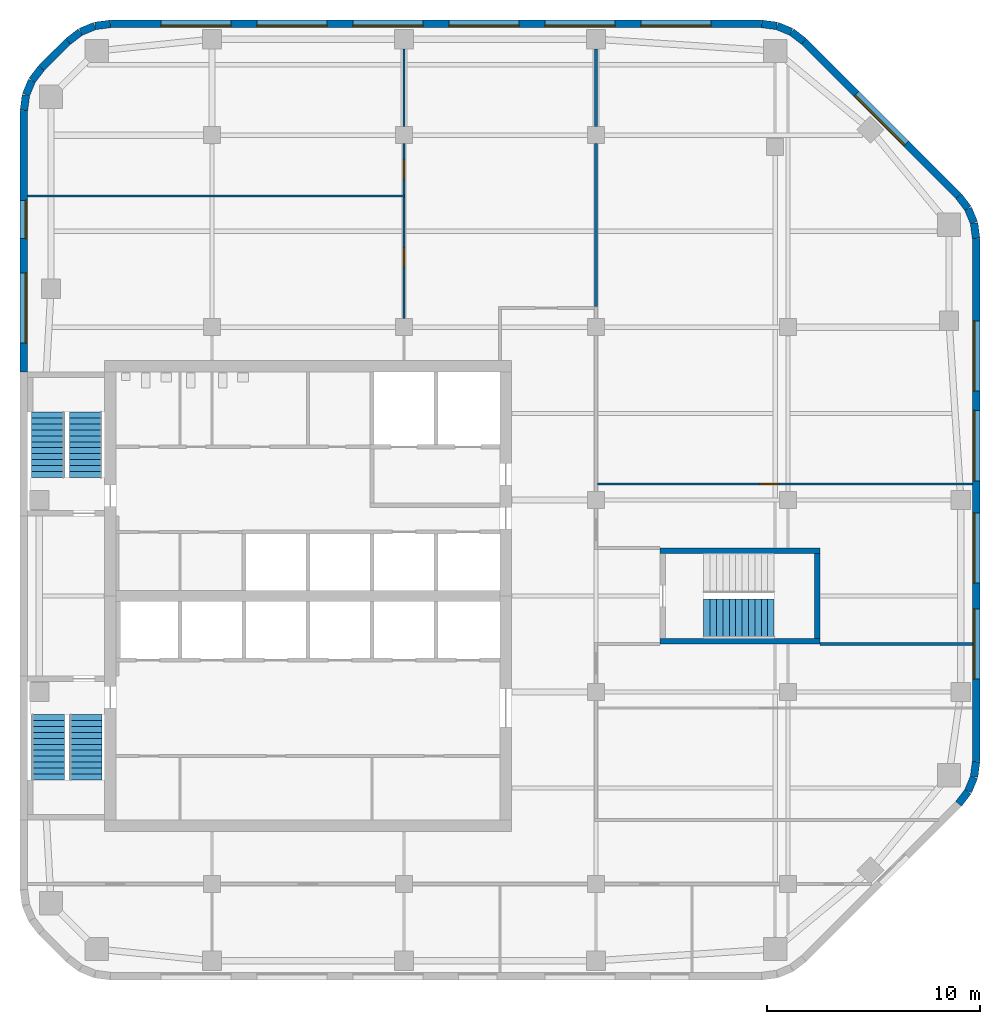
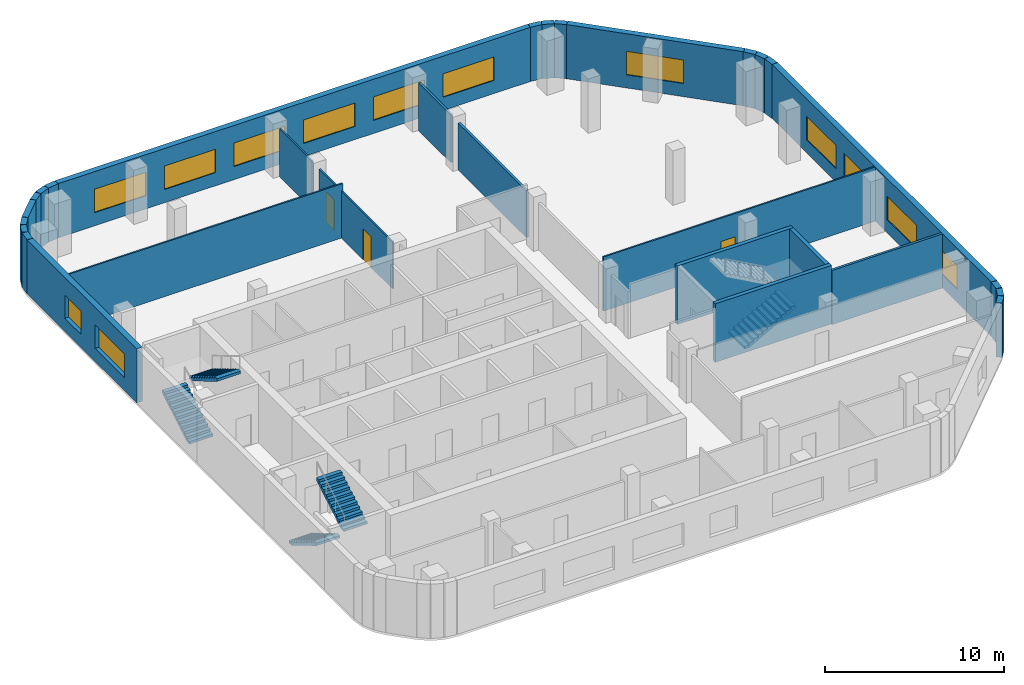
# One storey, part 5 of 8: 31 walls, 13 windows, 5 stair flights, 3 doors, 16 openings, 3 elements without a shape of their own.
"""IFC4 building model written with IfcOpenShell, lengths in metres."""

from ifc_helpers import new_model, si_unit, direction, frame, frame_2d, origin, place, context, subcontext, project, spatial, polyline, rectangle, outline, extrude, material, layer, layer_set, type_object, element, fill, aggregate, save


model = new_model("IFC4")

# Units and contexts
model_context = context("Model", 3, precision=1e-05, world=origin(), true_north=direction((0.0, 1.0)))
body_context = subcontext(model_context, "Body", "Model", "MODEL_VIEW")
ifc_project = project(units=[si_unit("LENGTHUNIT", "METRE"), si_unit("AREAUNIT", "SQUARE_METRE"), si_unit("VOLUMEUNIT", "CUBIC_METRE"), si_unit("PLANEANGLEUNIT", "RADIAN"), si_unit("MASSUNIT", "GRAM", prefix="KILO")], contexts=[model_context])

# Site, building, storey
site_placement = place(None, origin())
site = spatial("IfcSite", under=ifc_project, at=site_placement, CompositionType="ELEMENT")
building_placement = place(site_placement, origin())
building = spatial("IfcBuilding", under=site, at=building_placement, Name="Cinnabar Reach Civic Tower", CompositionType="ELEMENT")
storey_placement = place(building_placement, frame((0.0, 0.0, 238.0)))
storey = spatial("IfcBuildingStorey", under=building, at=storey_placement, Name="L57", CompositionType="ELEMENT", Elevation=238.0)

# Walls
ifc_material_1 = material(Name="Facing brick with insulated backing", Category="masonry")
ifc_layer_1 = layer(ifc_material_1, 0.36)
ifc_layer_set_1 = layer_set([ifc_layer_1], Name="Brick corner wall")
wall_type_1 = type_object("IfcWallType", Name="Brick corner wall", PredefinedType="STANDARD", material=ifc_layer_set_1)
wall_1_placement = place(storey_placement, frame((43.9998, 21.7587, 0.0), z_axis=(0.0, 0.0, 1.0), x_axis=(0.608802368033, 0.793321924995, 0.0)))
element("IfcWall", 1, at=wall_1_placement, inside=storey, type_object=wall_type_1, Name="Brick corner wall", PredefinedType="STANDARD", context=body_context, shape_type="SweptSolid", body=[
    extrude(rectangle(XDim=0.7132, YDim=0.36, at=frame_2d((0.3566, 0.0))), origin(), (0.0, 0.0, 1.0), 3.7),
])
for number, where, z_axis, x_axis, name in (
    (2, (44.4452, 22.3439, 0.0), (0.0, 0.0, 1.0), (0.382702709855, 0.923871547278, 0.0), "Brick corner wall"),
    (3, (44.7239, 23.0244, 0.0), (0.0, 0.0, 1.0), (0.13055608231, 0.99144092581, 0.0), "Brick corner wall"),
    (4, (44.817, 48.2686, 0.0), (0.0, 0.0, 1.0), (-0.13055608231, 0.99144092581, 0.0), "Brick corner wall"),
    (5, (44.7181, 48.9973, 0.0), (0.0, 0.0, 1.0), (-0.382702709855, 0.923871547278, 0.0), "Brick corner wall"),
):
    element("IfcWall", number, at=place(storey_placement, frame(where, z_axis=z_axis, x_axis=x_axis)), inside=storey, type_object=wall_type_1, Name=name, PredefinedType="STANDARD", context=body_context, shape_type="SweptSolid", body=[
        extrude(rectangle(XDim=0.7131, YDim=0.36, at=frame_2d((0.3565, 0.0))), origin(), (0.0, 0.0, 1.0), 3.7),
    ])
for number, where, z_axis, x_axis, name in (
    (6, (44.434, 49.6755, 0.0), (0.0, 0.0, 1.0), (-0.608802368033, 0.793321924995, 0.0), "Brick corner wall"),
    (7, (36.7413, 57.4998, 0.0), (0.0, 0.0, 1.0), (-0.793321924995, 0.608802368033, 0.0), "Brick corner wall"),
):
    element("IfcWall", number, at=place(storey_placement, frame(where, z_axis=z_axis, x_axis=x_axis)), inside=storey, type_object=wall_type_1, Name=name, PredefinedType="STANDARD", context=body_context, shape_type="SweptSolid", body=[
        extrude(rectangle(XDim=0.7132, YDim=0.36, at=frame_2d((0.3566, 0.0))), origin(), (0.0, 0.0, 1.0), 3.7),
    ])
for number, where, z_axis, x_axis, name in (
    (8, (36.1561, 57.9452, 0.0), (0.0, 0.0, 1.0), (-0.923871547278, 0.382702709855, 0.0), "Brick corner wall"),
    (9, (35.4756, 58.2239, 0.0), (0.0, 0.0, 1.0), (-0.99144092581, 0.13055608231, 0.0), "Brick corner wall"),
    (10, (4.2314, 58.317, 0.0), (0.0, 0.0, 1.0), (-0.99144092581, -0.13055608231, 0.0), "Brick corner wall"),
    (11, (3.5027, 58.2181, 0.0), (0.0, 0.0, 1.0), (-0.923871547278, -0.382702709855, 0.0), "Brick corner wall"),
):
    element("IfcWall", number, at=place(storey_placement, frame(where, z_axis=z_axis, x_axis=x_axis)), inside=storey, type_object=wall_type_1, Name=name, PredefinedType="STANDARD", context=body_context, shape_type="SweptSolid", body=[
        extrude(rectangle(XDim=0.7131, YDim=0.36, at=frame_2d((0.3565, 0.0))), origin(), (0.0, 0.0, 1.0), 3.7),
    ])
for number, where, z_axis, x_axis, name in (
    (12, (2.8245, 57.934, 0.0), (0.0, 0.0, 1.0), (-0.793321924995, -0.608802368033, 0.0), "Brick corner wall"),
    (13, (1.0002, 56.2413, 0.0), (0.0, 0.0, 1.0), (-0.608802368033, -0.793321924995, 0.0), "Brick corner wall"),
):
    element("IfcWall", number, at=place(storey_placement, frame(where, z_axis=z_axis, x_axis=x_axis)), inside=storey, type_object=wall_type_1, Name=name, PredefinedType="STANDARD", context=body_context, shape_type="SweptSolid", body=[
        extrude(rectangle(XDim=0.7132, YDim=0.36, at=frame_2d((0.3566, 0.0))), origin(), (0.0, 0.0, 1.0), 3.7),
    ])
for number, where, z_axis, x_axis, name in (
    (14, (0.5548, 55.6561, 0.0), (0.0, 0.0, 1.0), (-0.382702709855, -0.923871547278, 0.0), "Brick corner wall"),
    (15, (0.2761, 54.9756, 0.0), (0.0, 0.0, 1.0), (-0.13055608231, -0.99144092581, 0.0), "Brick corner wall"),
):
    element("IfcWall", number, at=place(storey_placement, frame(where, z_axis=z_axis, x_axis=x_axis)), inside=storey, type_object=wall_type_1, Name=name, PredefinedType="STANDARD", context=body_context, shape_type="SweptSolid", body=[
        extrude(rectangle(XDim=0.7131, YDim=0.36, at=frame_2d((0.3565, 0.0))), origin(), (0.0, 0.0, 1.0), 3.7),
    ])

# Wall, openings, windows
ifc_layer_2 = layer(ifc_material_1, 0.36)
ifc_layer_set_2 = layer_set([ifc_layer_2], Name="Brick pier and spandrel wall")
wall_type_2 = type_object("IfcWallType", Name="Brick pier and spandrel wall", PredefinedType="STANDARD", material=ifc_layer_set_2)
wall_2_placement = place(storey_placement, frame((44.82, 23.7426, 0.0), z_axis=(0.0, 0.0, 1.0), x_axis=(0.0, 1.0, 0.0)))
wall_2 = element("IfcWall", 16, at=wall_2_placement, inside=storey, type_object=wall_type_2, Name="Brick facade wall", PredefinedType="STANDARD", context=body_context, shape_type="SweptSolid", body=[
    extrude(rectangle(XDim=24.5148, YDim=0.36, at=frame_2d((12.2574, 0.0))), origin(), (0.0, 0.0, 1.0), 3.7),
])
opening_1_placement = place(wall_2_placement, frame((3.8574, 0.0, 0.9)))
opening_1 = element("IfcOpeningElement", 17, at=opening_1_placement, cuts=wall_2, Name="Opening W2167", PredefinedType="OPENING", context=body_context, shape_type="SweptSolid", body=[
    extrude(rectangle(XDim=3.3, YDim=1.6, at=frame_2d((1.65, 0.8))), frame((0.0, 0.19, 0.0), z_axis=(0.0, -1.0, 0.0), x_axis=(1.0, 0.0, 0.0)), (0.0, 0.0, 1.0), 0.38),
])
opening_2_placement = place(wall_2_placement, frame((8.3574, 0.0, 0.9)))
opening_2 = element("IfcOpeningElement", 18, at=opening_2_placement, cuts=wall_2, Name="Opening W2168", PredefinedType="OPENING", context=body_context, shape_type="SweptSolid", body=[
    extrude(rectangle(XDim=3.3, YDim=1.6, at=frame_2d((1.65, 0.8))), frame((0.0, 0.19, 0.0), z_axis=(0.0, -1.0, 0.0), x_axis=(1.0, 0.0, 0.0)), (0.0, 0.0, 1.0), 0.38),
])
opening_3_placement = place(wall_2_placement, frame((13.1574, 0.0, 0.9)))
opening_3 = element("IfcOpeningElement", 19, at=opening_3_placement, cuts=wall_2, Name="Opening W2169", PredefinedType="OPENING", context=body_context, shape_type="SweptSolid", body=[
    extrude(rectangle(XDim=3.3, YDim=1.6, at=frame_2d((1.65, 0.8))), frame((0.0, 0.19, 0.0), z_axis=(0.0, -1.0, 0.0), x_axis=(1.0, 0.0, 0.0)), (0.0, 0.0, 1.0), 0.38),
])
opening_4_placement = place(wall_2_placement, frame((17.3574, 0.0, 0.9)))
opening_4 = element("IfcOpeningElement", 20, at=opening_4_placement, cuts=wall_2, Name="Opening W2170", PredefinedType="OPENING", context=body_context, shape_type="SweptSolid", body=[
    extrude(rectangle(XDim=3.3, YDim=1.6, at=frame_2d((1.65, 0.8))), frame((0.0, 0.19, 0.0), z_axis=(0.0, -1.0, 0.0), x_axis=(1.0, 0.0, 0.0)), (0.0, 0.0, 1.0), 0.38),
])
ifc_material_2 = material(Name="Clear double glazing in aluminium frame", Category="aluminium")
window_type_1 = type_object("IfcWindowType", Name="Deep-set window A", PartitioningType="SINGLE_PANEL", PredefinedType="WINDOW", material=ifc_material_2)
window_1_placement = place(opening_1_placement, origin())
window_1 = element("IfcWindow", 21, at=window_1_placement, inside=storey, type_object=window_type_1, Name="Window east face", OverallHeight=1.6, OverallWidth=3.3, PartitioningType="SINGLE_PANEL", PredefinedType="WINDOW", context=body_context, shape_type="SweptSolid", body=[
    extrude(rectangle(XDim=3.3, YDim=1.6, at=frame_2d((1.65, 0.8))), frame((0.0, 0.13, 0.0), z_axis=(0.0, -1.0, 0.0), x_axis=(1.0, 0.0, 0.0)), (0.0, 0.0, 1.0), 0.06),
])
fill(opening_1, window_1)
window_2_placement = place(opening_2_placement, origin())
window_2 = element("IfcWindow", 22, at=window_2_placement, inside=storey, type_object=window_type_1, Name="Window east face", OverallHeight=1.6, OverallWidth=3.3, PartitioningType="SINGLE_PANEL", PredefinedType="WINDOW", context=body_context, shape_type="SweptSolid", body=[
    extrude(rectangle(XDim=3.3, YDim=1.6, at=frame_2d((1.65, 0.8))), frame((0.0, 0.13, 0.0), z_axis=(0.0, -1.0, 0.0), x_axis=(1.0, 0.0, 0.0)), (0.0, 0.0, 1.0), 0.06),
])
fill(opening_2, window_2)
window_3_placement = place(opening_3_placement, origin())
window_3 = element("IfcWindow", 23, at=window_3_placement, inside=storey, type_object=window_type_1, Name="Window east face", OverallHeight=1.6, OverallWidth=3.3, PartitioningType="SINGLE_PANEL", PredefinedType="WINDOW", context=body_context, shape_type="SweptSolid", body=[
    extrude(rectangle(XDim=3.3, YDim=1.6, at=frame_2d((1.65, 0.8))), frame((0.0, 0.13, 0.0), z_axis=(0.0, -1.0, 0.0), x_axis=(1.0, 0.0, 0.0)), (0.0, 0.0, 1.0), 0.06),
])
fill(opening_3, window_3)
window_4_placement = place(opening_4_placement, origin())
window_4 = element("IfcWindow", 24, at=window_4_placement, inside=storey, type_object=window_type_1, Name="Window east face", OverallHeight=1.6, OverallWidth=3.3, PartitioningType="SINGLE_PANEL", PredefinedType="WINDOW", context=body_context, shape_type="SweptSolid", body=[
    extrude(rectangle(XDim=3.3, YDim=1.6, at=frame_2d((1.65, 0.8))), frame((0.0, 0.13, 0.0), z_axis=(0.0, -1.0, 0.0), x_axis=(1.0, 0.0, 0.0)), (0.0, 0.0, 1.0), 0.06),
])
fill(opening_4, window_4)

# Wall, opening, window
wall_3_placement = place(storey_placement, frame((43.994, 50.2514, 0.0), z_axis=(0.0, 0.0, 1.0), x_axis=(-0.707106781187, 0.707106781187, 0.0)))
wall_3 = element("IfcWall", 25, at=wall_3_placement, inside=storey, type_object=wall_type_2, Name="Brick facade wall", PredefinedType="STANDARD", context=body_context, shape_type="SweptSolid", body=[
    extrude(rectangle(XDim=10.2426, YDim=0.36, at=frame_2d((5.1213, 0.0))), origin(), (0.0, 0.0, 1.0), 3.7),
])
opening_5_placement = place(wall_3_placement, frame((3.4713, 0.0, 0.9)))
opening_5 = element("IfcOpeningElement", 26, at=opening_5_placement, cuts=wall_3, Name="Opening W2171", PredefinedType="OPENING", context=body_context, shape_type="SweptSolid", body=[
    extrude(rectangle(XDim=3.3, YDim=1.6, at=frame_2d((1.65, 0.8))), frame((0.0, 0.19, 0.0), z_axis=(0.0, -1.0, 0.0), x_axis=(1.0, 0.0, 0.0)), (0.0, 0.0, 1.0), 0.38),
])
window_5_placement = place(opening_5_placement, origin())
window_5 = element("IfcWindow", 27, at=window_5_placement, inside=storey, type_object=window_type_1, Name="Window northeast face", OverallHeight=1.6, OverallWidth=3.3, PartitioningType="SINGLE_PANEL", PredefinedType="WINDOW", context=body_context, shape_type="SweptSolid", body=[
    extrude(rectangle(XDim=3.3, YDim=1.6, at=frame_2d((1.65, 0.8))), frame((0.0, 0.13, 0.0), z_axis=(0.0, -1.0, 0.0), x_axis=(1.0, 0.0, 0.0)), (0.0, 0.0, 1.0), 0.06),
])
fill(opening_5, window_5)

# Wall, openings, windows
wall_4_placement = place(storey_placement, frame((34.7574, 58.32, 0.0), z_axis=(0.0, 0.0, 1.0), x_axis=(-1.0, 0.0, 0.0)))
wall_4 = element("IfcWall", 28, at=wall_4_placement, inside=storey, type_object=wall_type_2, Name="Brick facade wall", PredefinedType="STANDARD", context=body_context, shape_type="SweptSolid", body=[
    extrude(rectangle(XDim=30.5148, YDim=0.36, at=frame_2d((15.2574, 0.0))), origin(), (0.0, 0.0, 1.0), 3.7),
])
opening_6_placement = place(wall_4_placement, frame((2.3574, 0.0, 0.9)))
opening_6 = element("IfcOpeningElement", 29, at=opening_6_placement, cuts=wall_4, Name="Opening W2172", PredefinedType="OPENING", context=body_context, shape_type="SweptSolid", body=[
    extrude(rectangle(XDim=3.3, YDim=1.6, at=frame_2d((1.65, 0.8))), frame((0.0, 0.19, 0.0), z_axis=(0.0, -1.0, 0.0), x_axis=(1.0, 0.0, 0.0)), (0.0, 0.0, 1.0), 0.38),
])
opening_7_placement = place(wall_4_placement, frame((6.8574, 0.0, 0.9)))
opening_7 = element("IfcOpeningElement", 30, at=opening_7_placement, cuts=wall_4, Name="Opening W2173", PredefinedType="OPENING", context=body_context, shape_type="SweptSolid", body=[
    extrude(rectangle(XDim=3.3, YDim=1.6, at=frame_2d((1.65, 0.8))), frame((0.0, 0.19, 0.0), z_axis=(0.0, -1.0, 0.0), x_axis=(1.0, 0.0, 0.0)), (0.0, 0.0, 1.0), 0.38),
])
opening_8_placement = place(wall_4_placement, frame((11.3574, 0.0, 0.9)))
opening_8 = element("IfcOpeningElement", 31, at=opening_8_placement, cuts=wall_4, Name="Opening W2174", PredefinedType="OPENING", context=body_context, shape_type="SweptSolid", body=[
    extrude(rectangle(XDim=3.3, YDim=1.6, at=frame_2d((1.65, 0.8))), frame((0.0, 0.19, 0.0), z_axis=(0.0, -1.0, 0.0), x_axis=(1.0, 0.0, 0.0)), (0.0, 0.0, 1.0), 0.38),
])
opening_9_placement = place(wall_4_placement, frame((15.8574, 0.0, 0.9)))
opening_9 = element("IfcOpeningElement", 32, at=opening_9_placement, cuts=wall_4, Name="Opening W2175", PredefinedType="OPENING", context=body_context, shape_type="SweptSolid", body=[
    extrude(rectangle(XDim=3.3, YDim=1.6, at=frame_2d((1.65, 0.8))), frame((0.0, 0.19, 0.0), z_axis=(0.0, -1.0, 0.0), x_axis=(1.0, 0.0, 0.0)), (0.0, 0.0, 1.0), 0.38),
])
opening_10_placement = place(wall_4_placement, frame((20.3574, 0.0, 0.9)))
opening_10 = element("IfcOpeningElement", 33, at=opening_10_placement, cuts=wall_4, Name="Opening W2176", PredefinedType="OPENING", context=body_context, shape_type="SweptSolid", body=[
    extrude(rectangle(XDim=3.3, YDim=1.6, at=frame_2d((1.65, 0.8))), frame((0.0, 0.19, 0.0), z_axis=(0.0, -1.0, 0.0), x_axis=(1.0, 0.0, 0.0)), (0.0, 0.0, 1.0), 0.38),
])
opening_11_placement = place(wall_4_placement, frame((24.8574, 0.0, 0.9)))
opening_11 = element("IfcOpeningElement", 34, at=opening_11_placement, cuts=wall_4, Name="Opening W2177", PredefinedType="OPENING", context=body_context, shape_type="SweptSolid", body=[
    extrude(rectangle(XDim=3.3, YDim=1.6, at=frame_2d((1.65, 0.8))), frame((0.0, 0.19, 0.0), z_axis=(0.0, -1.0, 0.0), x_axis=(1.0, 0.0, 0.0)), (0.0, 0.0, 1.0), 0.38),
])
window_6_placement = place(opening_6_placement, origin())
window_6 = element("IfcWindow", 35, at=window_6_placement, inside=storey, type_object=window_type_1, Name="Window north face", OverallHeight=1.6, OverallWidth=3.3, PartitioningType="SINGLE_PANEL", PredefinedType="WINDOW", context=body_context, shape_type="SweptSolid", body=[
    extrude(rectangle(XDim=3.3, YDim=1.6, at=frame_2d((1.65, 0.8))), frame((0.0, 0.13, 0.0), z_axis=(0.0, -1.0, 0.0), x_axis=(1.0, 0.0, 0.0)), (0.0, 0.0, 1.0), 0.06),
])
fill(opening_6, window_6)
window_7_placement = place(opening_7_placement, origin())
window_7 = element("IfcWindow", 36, at=window_7_placement, inside=storey, type_object=window_type_1, Name="Window north face", OverallHeight=1.6, OverallWidth=3.3, PartitioningType="SINGLE_PANEL", PredefinedType="WINDOW", context=body_context, shape_type="SweptSolid", body=[
    extrude(rectangle(XDim=3.3, YDim=1.6, at=frame_2d((1.65, 0.8))), frame((0.0, 0.13, 0.0), z_axis=(0.0, -1.0, 0.0), x_axis=(1.0, 0.0, 0.0)), (0.0, 0.0, 1.0), 0.06),
])
fill(opening_7, window_7)
window_8_placement = place(opening_8_placement, origin())
window_8 = element("IfcWindow", 37, at=window_8_placement, inside=storey, type_object=window_type_1, Name="Window north face", OverallHeight=1.6, OverallWidth=3.3, PartitioningType="SINGLE_PANEL", PredefinedType="WINDOW", context=body_context, shape_type="SweptSolid", body=[
    extrude(rectangle(XDim=3.3, YDim=1.6, at=frame_2d((1.65, 0.8))), frame((0.0, 0.13, 0.0), z_axis=(0.0, -1.0, 0.0), x_axis=(1.0, 0.0, 0.0)), (0.0, 0.0, 1.0), 0.06),
])
fill(opening_8, window_8)
window_9_placement = place(opening_9_placement, origin())
window_9 = element("IfcWindow", 38, at=window_9_placement, inside=storey, type_object=window_type_1, Name="Window north face", OverallHeight=1.6, OverallWidth=3.3, PartitioningType="SINGLE_PANEL", PredefinedType="WINDOW", context=body_context, shape_type="SweptSolid", body=[
    extrude(rectangle(XDim=3.3, YDim=1.6, at=frame_2d((1.65, 0.8))), frame((0.0, 0.13, 0.0), z_axis=(0.0, -1.0, 0.0), x_axis=(1.0, 0.0, 0.0)), (0.0, 0.0, 1.0), 0.06),
])
fill(opening_9, window_9)
window_10_placement = place(opening_10_placement, origin())
window_10 = element("IfcWindow", 39, at=window_10_placement, inside=storey, type_object=window_type_1, Name="Window north face", OverallHeight=1.6, OverallWidth=3.3, PartitioningType="SINGLE_PANEL", PredefinedType="WINDOW", context=body_context, shape_type="SweptSolid", body=[
    extrude(rectangle(XDim=3.3, YDim=1.6, at=frame_2d((1.65, 0.8))), frame((0.0, 0.13, 0.0), z_axis=(0.0, -1.0, 0.0), x_axis=(1.0, 0.0, 0.0)), (0.0, 0.0, 1.0), 0.06),
])
fill(opening_10, window_10)
window_11_placement = place(opening_11_placement, origin())
window_11 = element("IfcWindow", 40, at=window_11_placement, inside=storey, type_object=window_type_1, Name="Window north face", OverallHeight=1.6, OverallWidth=3.3, PartitioningType="SINGLE_PANEL", PredefinedType="WINDOW", context=body_context, shape_type="SweptSolid", body=[
    extrude(rectangle(XDim=3.3, YDim=1.6, at=frame_2d((1.65, 0.8))), frame((0.0, 0.13, 0.0), z_axis=(0.0, -1.0, 0.0), x_axis=(1.0, 0.0, 0.0)), (0.0, 0.0, 1.0), 0.06),
])
fill(opening_11, window_11)

# Wall
wall_5_placement = place(storey_placement, frame((2.2486, 57.494, 0.0), z_axis=(0.0, 0.0, 1.0), x_axis=(-0.707106781187, -0.707106781187, 0.0)))
element("IfcWall", 41, at=wall_5_placement, inside=storey, type_object=wall_type_2, Name="Brick facade wall", PredefinedType="STANDARD", context=body_context, shape_type="SweptSolid", body=[
    extrude(rectangle(XDim=1.7573, YDim=0.36, at=frame_2d((0.8787, 0.0))), origin(), (0.0, 0.0, 1.0), 3.7),
])

# Wall, openings, windows
wall_6_placement = place(storey_placement, frame((0.18, 54.2574, 0.0), z_axis=(0.0, 0.0, 1.0), x_axis=(0.0, -1.0, 0.0)))
wall_6 = element("IfcWall", 42, at=wall_6_placement, inside=storey, type_object=wall_type_2, Name="Brick facade wall", PredefinedType="STANDARD", context=body_context, shape_type="SweptSolid", body=[
    extrude(rectangle(XDim=12.2574, YDim=0.36, at=frame_2d((6.1287, 0.0))), origin(), (0.0, 0.0, 1.0), 3.7),
])
opening_12_placement = place(wall_6_placement, frame((4.2074, 0.0, 0.9)))
opening_12 = element("IfcOpeningElement", 43, at=opening_12_placement, cuts=wall_6, Name="Opening W2178", PredefinedType="OPENING", context=body_context, shape_type="SweptSolid", body=[
    extrude(rectangle(XDim=1.8, YDim=1.6, at=frame_2d((0.9, 0.8))), frame((0.0, 0.19, 0.0), z_axis=(0.0, -1.0, 0.0), x_axis=(1.0, 0.0, 0.0)), (0.0, 0.0, 1.0), 0.38),
])
opening_13_placement = place(wall_6_placement, frame((7.6074, 0.0, 0.9)))
opening_13 = element("IfcOpeningElement", 44, at=opening_13_placement, cuts=wall_6, Name="Opening W2179", PredefinedType="OPENING", context=body_context, shape_type="SweptSolid", body=[
    extrude(rectangle(XDim=3.3, YDim=1.6, at=frame_2d((1.65, 0.8))), frame((0.0, 0.19, 0.0), z_axis=(0.0, -1.0, 0.0), x_axis=(1.0, 0.0, 0.0)), (0.0, 0.0, 1.0), 0.38),
])
window_12_placement = place(opening_13_placement, origin())
window_12 = element("IfcWindow", 45, at=window_12_placement, inside=storey, type_object=window_type_1, Name="Window west face", OverallHeight=1.6, OverallWidth=3.3, PartitioningType="SINGLE_PANEL", PredefinedType="WINDOW", context=body_context, shape_type="SweptSolid", body=[
    extrude(rectangle(XDim=3.3, YDim=1.6, at=frame_2d((1.65, 0.8))), frame((0.0, 0.13, 0.0), z_axis=(0.0, -1.0, 0.0), x_axis=(1.0, 0.0, 0.0)), (0.0, 0.0, 1.0), 0.06),
])
fill(opening_13, window_12)
window_type_2 = type_object("IfcWindowType", Name="Deep-set window D", PartitioningType="SINGLE_PANEL", PredefinedType="WINDOW", material=ifc_material_2)
window_13_placement = place(opening_12_placement, origin())
window_13 = element("IfcWindow", 46, at=window_13_placement, inside=storey, type_object=window_type_2, Name="Window west face", OverallHeight=1.6, OverallWidth=1.8, PartitioningType="SINGLE_PANEL", PredefinedType="WINDOW", context=body_context, shape_type="SweptSolid", body=[
    extrude(rectangle(XDim=1.8, YDim=1.6, at=frame_2d((0.9, 0.8))), frame((0.0, 0.13, 0.0), z_axis=(0.0, -1.0, 0.0), x_axis=(1.0, 0.0, 0.0)), (0.0, 0.0, 1.0), 0.06),
])
fill(opening_12, window_13)

# Wall, opening, door
ifc_material_3 = material(Name="Gypsum board on steel studs", Category="steel")
ifc_layer_3 = layer(ifc_material_3, 0.1)
ifc_layer_set_3 = layer_set([ifc_layer_3], Name="Partition wall 100 T1")
wall_type_3 = type_object("IfcWallType", Name="Partition wall 100 T1", PredefinedType="PARTITIONING", material=ifc_layer_set_3)
wall_7_placement = place(storey_placement, frame((27.075, 36.75, 0.0), z_axis=(0.0, 0.0, 1.0), x_axis=(1.0, 0.0, 0.0)))
wall_7 = element("IfcWall", 47, at=wall_7_placement, inside=storey, type_object=wall_type_3, Name="Partition wall 44", PredefinedType="PARTITIONING", context=body_context, shape_type="SweptSolid", body=[
    extrude(rectangle(XDim=17.565, YDim=0.1, at=frame_2d((8.7825, 0.0))), origin(), (0.0, 0.0, 1.0), 3.7),
])
opening_14_placement = place(wall_7_placement, frame((7.6, 0.0, 0.0)))
opening_14 = element("IfcOpeningElement", 48, at=opening_14_placement, cuts=wall_7, Name="Opening D5327", PredefinedType="OPENING", context=body_context, shape_type="SweptSolid", body=[
    extrude(rectangle(XDim=0.9, YDim=2.1, at=frame_2d((0.45, 1.05))), frame((0.0, 0.06, 0.0), z_axis=(0.0, -1.0, 0.0), x_axis=(1.0, 0.0, 0.0)), (0.0, 0.0, 1.0), 0.12),
])
ifc_material_4 = material(Name="Timber door leaf in steel frame", Category="steel")
door_type = type_object("IfcDoorType", Name="Single swing door 900 x 2100 T1", OperationType="SINGLE_SWING_LEFT", PredefinedType="DOOR", material=ifc_material_4)
door_1_placement = place(opening_14_placement, frame((0.9, 0.0, 0.0), z_axis=(0.0, 0.0, 1.0), x_axis=(-1.0, 0.0, 0.0)))
door_1 = element("IfcDoor", 49, at=door_1_placement, inside=storey, type_object=door_type, Name="Door D5327", OperationType="SINGLE_SWING_LEFT", OverallHeight=2.1, OverallWidth=0.9, PredefinedType="DOOR", context=body_context, shape_type="SweptSolid", body=[
    extrude(rectangle(XDim=0.9, YDim=2.1, at=frame_2d((0.45, 1.05))), frame((0.0, 0.025, 0.0), z_axis=(0.0, -1.0, 0.0), x_axis=(1.0, 0.0, 0.0)), (0.0, 0.0, 1.0), 0.05),
])
fill(opening_14, door_1)

# Wall
wall_8_placement = place(storey_placement, frame((0.36, 50.25, 0.0), z_axis=(0.0, 0.0, 1.0), x_axis=(1.0, 0.0, 0.0)))
element("IfcWall", 50, at=wall_8_placement, inside=storey, type_object=wall_type_3, Name="Partition wall 45", PredefinedType="PARTITIONING", context=body_context, shape_type="SweptSolid", body=[
    extrude(rectangle(XDim=17.69, YDim=0.1, at=frame_2d((8.845, 0.0))), origin(), (0.0, 0.0, 1.0), 3.7),
])

# Wall, opening, door
wall_9_placement = place(storey_placement, frame((18.0, 50.3, 0.0), z_axis=(0.0, 0.0, 1.0), x_axis=(0.0, 1.0, 0.0)))
wall_9 = element("IfcWall", 51, at=wall_9_placement, inside=storey, type_object=wall_type_3, Name="Partition wall 47", PredefinedType="PARTITIONING", context=body_context, shape_type="SweptSolid", body=[
    extrude(rectangle(XDim=2.4, YDim=0.1, at=frame_2d((1.2, 0.0))), origin(), (0.0, 0.0, 1.0), 3.2),
])
opening_15_placement = place(wall_9_placement, frame((0.75, 0.0, 0.0)))
opening_15 = element("IfcOpeningElement", 52, at=opening_15_placement, cuts=wall_9, Name="Opening D5336", PredefinedType="OPENING", context=body_context, shape_type="SweptSolid", body=[
    extrude(rectangle(XDim=0.9, YDim=2.1, at=frame_2d((0.45, 1.05))), frame((0.0, 0.06, 0.0), z_axis=(0.0, -1.0, 0.0), x_axis=(1.0, 0.0, 0.0)), (0.0, 0.0, 1.0), 0.12),
])
door_2_placement = place(opening_15_placement, frame((0.9, 0.0, 0.0), z_axis=(0.0, 0.0, 1.0), x_axis=(-1.0, 0.0, 0.0)))
door_2 = element("IfcDoor", 53, at=door_2_placement, inside=storey, type_object=door_type, Name="Door D5336", OperationType="SINGLE_SWING_LEFT", OverallHeight=2.1, OverallWidth=0.9, PredefinedType="DOOR", context=body_context, shape_type="SweptSolid", body=[
    extrude(rectangle(XDim=0.9, YDim=2.1, at=frame_2d((0.45, 1.05))), frame((0.0, 0.025, 0.0), z_axis=(0.0, -1.0, 0.0), x_axis=(1.0, 0.0, 0.0)), (0.0, 0.0, 1.0), 0.05),
])
fill(opening_15, door_2)

wall_10_placement = place(storey_placement, frame((18.0, 44.5, 0.0), z_axis=(0.0, 0.0, 1.0), x_axis=(0.0, 1.0, 0.0)))
wall_10 = element("IfcWall", 54, at=wall_10_placement, inside=storey, type_object=wall_type_3, Name="Partition wall 48", PredefinedType="PARTITIONING", context=body_context, shape_type="SweptSolid", body=[
    extrude(rectangle(XDim=5.7, YDim=0.1, at=frame_2d((2.85, 0.0))), origin(), (0.0, 0.0, 1.0), 3.2),
])
opening_16_placement = place(wall_10_placement, frame((2.4, 0.0, 0.0)))
opening_16 = element("IfcOpeningElement", 55, at=opening_16_placement, cuts=wall_10, Name="Opening D5335", PredefinedType="OPENING", context=body_context, shape_type="SweptSolid", body=[
    extrude(rectangle(XDim=0.9, YDim=2.1, at=frame_2d((0.45, 1.05))), frame((0.0, 0.06, 0.0), z_axis=(0.0, -1.0, 0.0), x_axis=(1.0, 0.0, 0.0)), (0.0, 0.0, 1.0), 0.12),
])
door_3_placement = place(opening_16_placement, frame((0.9, 0.0, 0.0), z_axis=(0.0, 0.0, 1.0), x_axis=(-1.0, 0.0, 0.0)))
door_3 = element("IfcDoor", 56, at=door_3_placement, inside=storey, type_object=door_type, Name="Door D5335", OperationType="SINGLE_SWING_RIGHT", OverallHeight=2.1, OverallWidth=0.9, PredefinedType="DOOR", context=body_context, shape_type="SweptSolid", body=[
    extrude(rectangle(XDim=0.9, YDim=2.1, at=frame_2d((0.45, 1.05))), frame((0.0, 0.025, 0.0), z_axis=(0.0, -1.0, 0.0), x_axis=(1.0, 0.0, 0.0)), (0.0, 0.0, 1.0), 0.05),
])
fill(opening_16, door_3)

# Walls
wall_11_placement = place(storey_placement, frame((18.0, 53.5, 0.0), z_axis=(0.0, 0.0, 1.0), x_axis=(0.0, 1.0, 0.0)))
element("IfcWall", 57, at=wall_11_placement, inside=storey, type_object=wall_type_3, Name="Partition wall 49", PredefinedType="PARTITIONING", context=body_context, shape_type="SweptSolid", body=[
    extrude(rectangle(XDim=3.65, YDim=0.1, at=frame_2d((1.825, 0.0))), origin(), (0.0, 0.0, 1.0), 3.26),
])
ifc_material_5 = material(Name="Concrete C60", Category="concrete")
ifc_layer_4 = layer(ifc_material_5, 0.25)
ifc_layer_set_4 = layer_set([ifc_layer_4], Name="Stair shaft wall 250 EI 120")
wall_type_4 = type_object("IfcWallType", Name="Stair shaft wall 250 EI 120", PredefinedType="SOLIDWALL", material=ifc_layer_set_4)
for number, where, z_axis, x_axis, name in (
    (58, (30.0, 29.375, 0.0), (0.0, 0.0, 1.0), (1.0, 0.0, 0.0), "Stair shaft wall T1-S3 L57"),
    (59, (37.5, 33.625, 0.0), (0.0, 0.0, 1.0), (-1.0, 0.0, 0.0), "Stair shaft wall T1-S3 L57"),
):
    element("IfcWall", number, at=place(storey_placement, frame(where, z_axis=z_axis, x_axis=x_axis)), inside=storey, type_object=wall_type_4, Name=name, PredefinedType="SOLIDWALL", context=body_context, shape_type="SweptSolid", body=[
        extrude(rectangle(XDim=7.5, YDim=0.25, at=frame_2d((3.75, 0.0))), origin(), (0.0, 0.0, 1.0), 4.0),
    ])
wall_12_placement = place(storey_placement, frame((37.375, 29.5, 0.0), z_axis=(0.0, 0.0, 1.0), x_axis=(0.0, 1.0, 0.0)))
element("IfcWall", 60, at=wall_12_placement, inside=storey, type_object=wall_type_4, Name="Stair shaft wall T1-S3 L57", PredefinedType="SOLIDWALL", context=body_context, shape_type="SweptSolid", body=[
    extrude(rectangle(XDim=4.0, YDim=0.25, at=frame_2d((2.0, 0.0))), origin(), (0.0, 0.0, 1.0), 4.0),
])
ifc_material_6 = material(Name="Gypsum board on steel studs, double layer", Category="steel")
ifc_layer_5 = layer(ifc_material_6, 0.15)
ifc_layer_set_5 = layer_set([ifc_layer_5], Name="Tenancy separating wall 150 T1")
wall_type_5 = type_object("IfcWallType", Name="Tenancy separating wall 150 T1", PredefinedType="PARTITIONING", material=ifc_layer_set_5)
wall_13_placement = place(storey_placement, frame((27.0, 45.075, 0.0), z_axis=(0.0, 0.0, 1.0), x_axis=(0.0, 1.0, 0.0)))
element("IfcWall", 61, at=wall_13_placement, inside=storey, type_object=wall_type_5, Name="Tenancy separating wall 40", PredefinedType="PARTITIONING", context=body_context, shape_type="SweptSolid", body=[
    extrude(rectangle(XDim=7.625, YDim=0.15, at=frame_2d((3.8125, 0.0))), origin(), (0.0, 0.0, 1.0), 3.2),
])
wall_14_placement = place(storey_placement, frame((37.5, 29.25, 0.0), z_axis=(0.0, 0.0, 1.0), x_axis=(1.0, 0.0, 0.0)))
element("IfcWall", 62, at=wall_14_placement, inside=storey, type_object=wall_type_5, Name="Tenancy separating wall 41", PredefinedType="PARTITIONING", context=body_context, shape_type="SweptSolid", body=[
    extrude(rectangle(XDim=7.14, YDim=0.15, at=frame_2d((3.57, 0.0))), origin(), (0.0, 0.0, 1.0), 3.7),
])
wall_15_placement = place(storey_placement, frame((27.0, 53.5, 0.0), z_axis=(0.0, 0.0, 1.0), x_axis=(0.0, 1.0, 0.0)))
element("IfcWall", 63, at=wall_15_placement, inside=storey, type_object=wall_type_5, Name="Tenancy separating wall 42", PredefinedType="PARTITIONING", context=body_context, shape_type="SweptSolid", body=[
    extrude(rectangle(XDim=3.65, YDim=0.15, at=frame_2d((1.825, 0.0))), origin(), (0.0, 0.0, 1.0), 3.26),
])

# Stair, stair flights
ifc_material_7 = material(Name="Concrete C40/50", Category="concrete")
stair_type = type_object("IfcStairType", Name="T1 Exit stair, half-turn", PredefinedType="HALF_TURN_STAIR", material=ifc_material_7)
stair_1_placement = place(storey_placement, origin())
stair_1 = element("IfcStair", 64, at=stair_1_placement, inside=storey, type_object=stair_type, Name="Stair T1-S1", PredefinedType="HALF_TURN_STAIR")
stair_flight_type = type_object("IfcStairFlightType", Name="T1 Stair flight, concrete", PredefinedType="STRAIGHT", material=ifc_material_7)
stair_flight_1_placement = place(storey_placement, frame((1.3125, 25.95, 0.0), z_axis=(0.0, 0.0, 1.0), x_axis=(0.0, -1.0, 0.0)))
stair_flight_1 = element("IfcStairFlight", 65, at=stair_flight_1_placement, type_object=stair_flight_type, Name="T1-S1 flight 1", NumberOfRisers=12, NumberOfTreads=11, PredefinedType="STRAIGHT", RiserHeight=0.166666667, TreadLength=0.28, context=body_context, shape_type="SweptSolid", body=[
    extrude(outline(polyline([(0.0, 0.0), (0.0, 0.1667), (0.28, 0.1667), (0.28, 0.3333), (0.56, 0.3333), (0.56, 0.5), (0.84, 0.5), (0.84, 0.6667), (1.12, 0.6667), (1.12, 0.8333), (1.4, 0.8333), (1.4, 1.0), (1.68, 1.0), (1.68, 1.1667), (1.96, 1.1667), (1.96, 1.3333), (2.24, 1.3333), (2.24, 1.5), (2.52, 1.5), (2.52, 1.6667), (2.8, 1.6667), (2.8, 1.8333), (3.08, 1.8333), (3.08, 2.0), (3.08, 1.6588), (0.2933, 0.0), (0.0, 0.0)])), frame((0.0, 0.7625, 0.0), z_axis=(0.0, -1.0, 0.0), x_axis=(1.0, 0.0, 0.0)), (0.0, 0.0, 1.0), 1.525),
])
stair_flight_2_placement = place(storey_placement, frame((3.0875, 22.87, 2.0), z_axis=(0.0, 0.0, 1.0), x_axis=(0.0, 1.0, 0.0)))
stair_flight_2 = element("IfcStairFlight", 66, at=stair_flight_2_placement, type_object=stair_flight_type, Name="T1-S1 flight 2", NumberOfRisers=12, NumberOfTreads=11, PredefinedType="STRAIGHT", RiserHeight=0.166666667, TreadLength=0.28, context=body_context, shape_type="SweptSolid", body=[
    extrude(outline(polyline([(0.0, 0.0), (0.0, 0.1667), (0.28, 0.1667), (0.28, 0.3333), (0.56, 0.3333), (0.56, 0.5), (0.84, 0.5), (0.84, 0.6667), (1.12, 0.6667), (1.12, 0.8333), (1.4, 0.8333), (1.4, 1.0), (1.68, 1.0), (1.68, 1.1667), (1.96, 1.1667), (1.96, 1.3333), (2.24, 1.3333), (2.24, 1.5), (2.52, 1.5), (2.52, 1.6667), (2.8, 1.6667), (2.8, 1.8333), (3.08, 1.8333), (3.08, 2.0), (3.08, 1.6588), (0.2933, 0.0), (0.0, 0.0)])), frame((0.0, 0.7625, 0.0), z_axis=(0.0, -1.0, 0.0), x_axis=(1.0, 0.0, 0.0)), (0.0, 0.0, 1.0), 1.525),
])
aggregate(stair_1, [stair_flight_1, stair_flight_2])

stair_2_placement = place(storey_placement, origin())
stair_2 = element("IfcStair", 67, at=stair_2_placement, inside=storey, type_object=stair_type, Name="Stair T1-S2", PredefinedType="HALF_TURN_STAIR")
stair_flight_3_placement = place(storey_placement, frame((1.3125, 37.05, 0.0), z_axis=(0.0, 0.0, 1.0), x_axis=(0.0, 1.0, 0.0)))
stair_flight_3 = element("IfcStairFlight", 68, at=stair_flight_3_placement, type_object=stair_flight_type, Name="T1-S2 flight 1", NumberOfRisers=12, NumberOfTreads=11, PredefinedType="STRAIGHT", RiserHeight=0.166666667, TreadLength=0.28, context=body_context, shape_type="SweptSolid", body=[
    extrude(outline(polyline([(0.0, 0.0), (0.0, 0.1667), (0.28, 0.1667), (0.28, 0.3333), (0.56, 0.3333), (0.56, 0.5), (0.84, 0.5), (0.84, 0.6667), (1.12, 0.6667), (1.12, 0.8333), (1.4, 0.8333), (1.4, 1.0), (1.68, 1.0), (1.68, 1.1667), (1.96, 1.1667), (1.96, 1.3333), (2.24, 1.3333), (2.24, 1.5), (2.52, 1.5), (2.52, 1.6667), (2.8, 1.6667), (2.8, 1.8333), (3.08, 1.8333), (3.08, 2.0), (3.08, 1.6588), (0.2933, 0.0), (0.0, 0.0)])), frame((0.0, 0.7625, 0.0), z_axis=(0.0, -1.0, 0.0), x_axis=(1.0, 0.0, 0.0)), (0.0, 0.0, 1.0), 1.525),
])
stair_flight_4_placement = place(storey_placement, frame((3.0875, 40.13, 2.0), z_axis=(0.0, 0.0, 1.0), x_axis=(0.0, -1.0, 0.0)))
stair_flight_4 = element("IfcStairFlight", 69, at=stair_flight_4_placement, type_object=stair_flight_type, Name="T1-S2 flight 2", NumberOfRisers=12, NumberOfTreads=11, PredefinedType="STRAIGHT", RiserHeight=0.166666667, TreadLength=0.28, context=body_context, shape_type="SweptSolid", body=[
    extrude(outline(polyline([(0.0, 0.0), (0.0, 0.1667), (0.28, 0.1667), (0.28, 0.3333), (0.56, 0.3333), (0.56, 0.5), (0.84, 0.5), (0.84, 0.6667), (1.12, 0.6667), (1.12, 0.8333), (1.4, 0.8333), (1.4, 1.0), (1.68, 1.0), (1.68, 1.1667), (1.96, 1.1667), (1.96, 1.3333), (2.24, 1.3333), (2.24, 1.5), (2.52, 1.5), (2.52, 1.6667), (2.8, 1.6667), (2.8, 1.8333), (3.08, 1.8333), (3.08, 2.0), (3.08, 1.6588), (0.2933, 0.0), (0.0, 0.0)])), frame((0.0, 0.7625, 0.0), z_axis=(0.0, -1.0, 0.0), x_axis=(1.0, 0.0, 0.0)), (0.0, 0.0, 1.0), 1.525),
])
aggregate(stair_2, [stair_flight_3, stair_flight_4])

# Stair, stair flight
stair_3_placement = place(storey_placement, origin())
stair_3 = element("IfcStair", 70, at=stair_3_placement, inside=storey, type_object=stair_type, Name="Stair T1-S3", PredefinedType="HALF_TURN_STAIR")
stair_flight_5_placement = place(storey_placement, frame((32.05, 30.45, 0.0), z_axis=(0.0, 0.0, 1.0), x_axis=(1.0, 0.0, 0.0)))
stair_flight_5 = element("IfcStairFlight", 71, at=stair_flight_5_placement, type_object=stair_flight_type, Name="T1-S3 flight 1", NumberOfRisers=12, NumberOfTreads=11, PredefinedType="STRAIGHT", RiserHeight=0.166666667, TreadLength=0.3, context=body_context, shape_type="SweptSolid", body=[
    extrude(outline(polyline([(0.0, 0.0), (0.0, 0.1667), (0.3, 0.1667), (0.3, 0.3333), (0.6, 0.3333), (0.6, 0.5), (0.9, 0.5), (0.9, 0.6667), (1.2, 0.6667), (1.2, 0.8333), (1.5, 0.8333), (1.5, 1.0), (1.8, 1.0), (1.8, 1.1667), (2.1, 1.1667), (2.1, 1.3333), (2.4, 1.3333), (2.4, 1.5), (2.7, 1.5), (2.7, 1.6667), (3.0, 1.6667), (3.0, 1.8333), (3.3, 1.8333), (3.3, 2.0), (3.3, 1.6617), (0.3089, 0.0), (0.0, 0.0)])), frame((0.0, 0.9, 0.0), z_axis=(0.0, -1.0, 0.0), x_axis=(1.0, 0.0, 0.0)), (0.0, 0.0, 1.0), 1.8),
])
aggregate(stair_3, [stair_flight_5])

save(model, "model.ifc")
